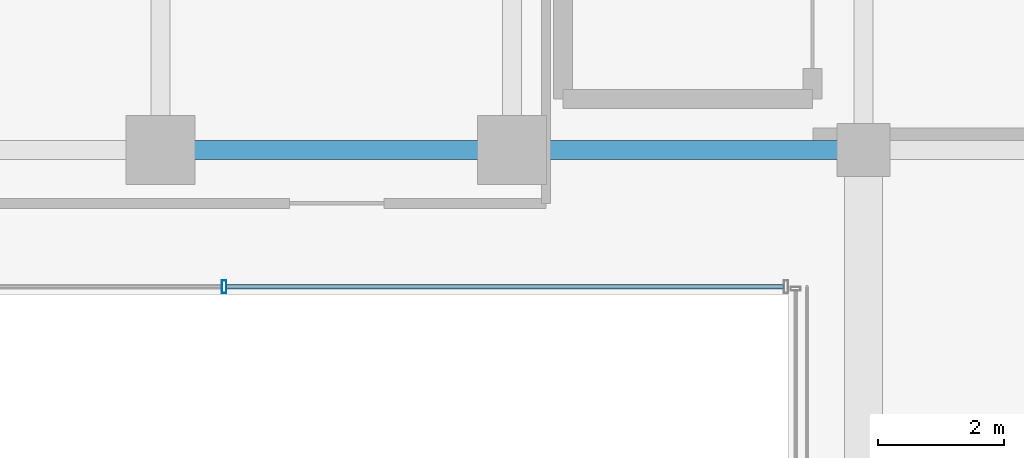
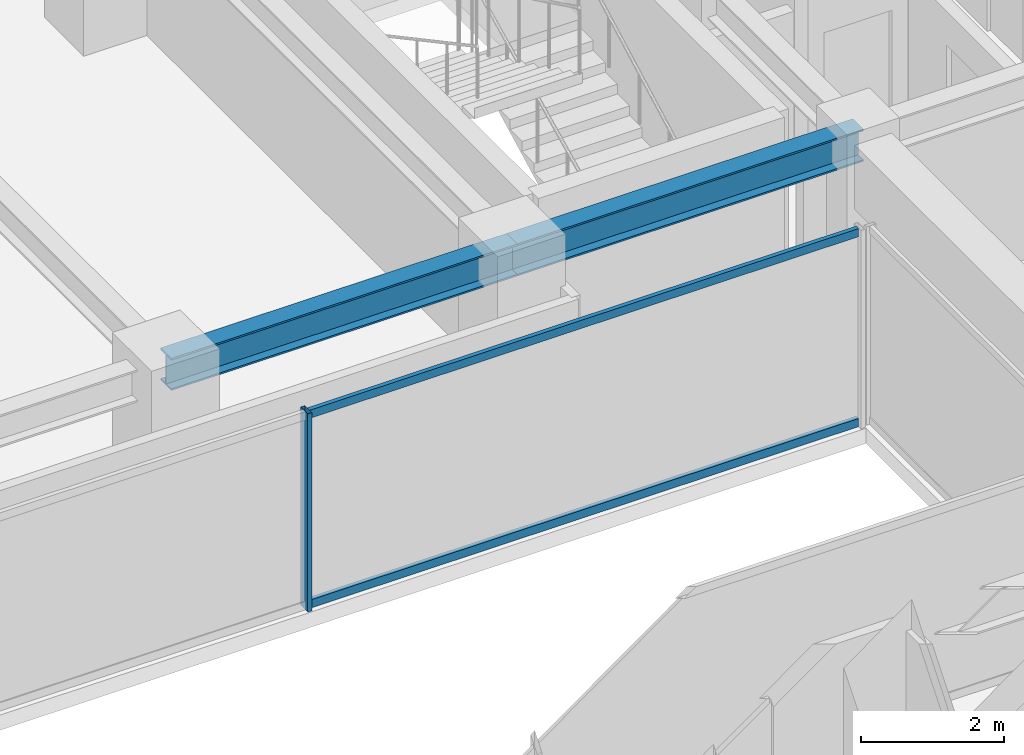
# One storey, part 11 of 36: 3 members, 2 beams, 1 element without a shape of its own.
"""IFC4 building model written with IfcOpenShell, lengths in metres."""

from ifc_helpers import new_model, si_unit, direction, frame, origin, origin_2d, place, context, subcontext, project, spatial, hollow_rectangle, i_section, extrude, source, transform, mapped, material, material_profile, profile_set, type_object, element, aggregate, save


model = new_model("IFC4")

# Units and contexts
model_context = context("Model", 3, precision=1e-05, world=origin(), true_north=direction((0.0, 1.0)))
body_context = subcontext(model_context, "Body", "Model", "MODEL_VIEW")
ifc_project = project(units=[si_unit("LENGTHUNIT", "METRE"), si_unit("AREAUNIT", "SQUARE_METRE"), si_unit("VOLUMEUNIT", "CUBIC_METRE"), si_unit("PLANEANGLEUNIT", "RADIAN"), si_unit("MASSUNIT", "GRAM", prefix="KILO")], contexts=[model_context])

# Site, building, storey
site_placement = place(None, origin())
site = spatial("IfcSite", under=ifc_project, at=site_placement, CompositionType="ELEMENT")
building_placement = place(site_placement, origin())
building = spatial("IfcBuilding", under=site, at=building_placement, Name="Nahalor Promenade Grand Hotel", CompositionType="ELEMENT")
storey_placement = place(building_placement, frame((0.0, 0.0, 170.89990234375)))
storey = spatial("IfcBuildingStorey", under=building, at=storey_placement, Name="L43", CompositionType="ELEMENT", Elevation=170.89990234375)

# Beams
ifc_material_1 = material(Name="Steel S355JR", Category="steel")
ifc_material_profile_1 = material_profile(ifc_material_1, i_section(OverallWidth=0.3, OverallDepth=0.55, WebThickness=0.015, FlangeThickness=0.029, at=origin_2d()), Name="HEB 550")
ifc_profile_set_1 = profile_set([ifc_material_profile_1], Name="Steel S355JR")
beam_type = type_object("IfcBeamType", Name="Beam-Girder-HEB550", PredefinedType="BEAM", material=ifc_profile_set_1)
shared_shape_1 = source(origin(), body_context, "Body", "SweptSolid", [
    extrude(i_section(OverallWidth=0.3, OverallDepth=0.55, WebThickness=0.015, FlangeThickness=0.029, at=origin_2d()), origin(), (0.0, 0.0, 1.0), 5.599853515625),
])
beam_1_placement = place(storey_placement, frame((2.800048828125, 5.39990234375, 3.114990234375), z_axis=(1.0, 0.0, 0.0), x_axis=(0.0, 1.0, 0.0)))
element("IfcBeam", 1, at=beam_1_placement, inside=storey, type_object=beam_type, Name="BM-L43-GX-2-4", PredefinedType="BEAM", context=body_context, shape_type="MappedRepresentation", body=[
    mapped(shared_shape_1, transform((0.0, 0.0, 0.0), scale=1.0)),
])
shared_shape_2 = source(origin(), body_context, "Body", "SweptSolid", [
    extrude(i_section(OverallWidth=0.3, OverallDepth=0.55, WebThickness=0.015, FlangeThickness=0.029, at=origin_2d()), origin(), (0.0, 0.0, 1.0), 5.60009765625),
])
beam_2_placement = place(storey_placement, frame((-2.800048828125, 5.39990234375, 3.114990234375), z_axis=(1.0, 0.0, 0.0), x_axis=(0.0, 1.0, 0.0)))
element("IfcBeam", 2, at=beam_2_placement, inside=storey, type_object=beam_type, Name="BM-L43-GX-2-3", PredefinedType="BEAM", context=body_context, shape_type="MappedRepresentation", body=[
    mapped(shared_shape_2, transform((0.0, 0.0, 0.0), scale=1.0)),
])

# Curtain wall, members
ifc_material_2 = material(Name="Anodised Bronze Aluminium EN AW-6063 T6", Category="aluminium")
curtain_wall_type = type_object("IfcCurtainWallType", Name="CW3 Elliptical-Void Collar Unitised Curtain Wall", PredefinedType="USERDEFINED", material=ifc_material_2)
curtain_wall_placement = place(storey_placement, origin())
curtain_wall = element("IfcCurtainWall", 3, at=curtain_wall_placement, inside=storey, type_object=curtain_wall_type, Name="L43 Curtain Wall CW-L43-VOID-WN1", ObjectType="UNITISED_CURTAIN_WALL", PredefinedType="USERDEFINED")
ifc_material_profile_2 = material_profile(ifc_material_2, hollow_rectangle(XDim=0.07, YDim=0.2, WallThickness=0.005, at=origin_2d()), Name="CWM 70x200x5")
ifc_profile_set_2 = profile_set([ifc_material_profile_2], Name="Anodised Bronze Aluminium EN AW-6063 T6")
member_type_1 = type_object("IfcMemberType", Name="CWM3 Void Collar Mullion 70x200", PredefinedType="MULLION", material=ifc_profile_set_2)
shared_shape_3 = source(origin(), body_context, "Body", "SweptSolid", [
    extrude(hollow_rectangle(XDim=0.07, YDim=0.2, WallThickness=0.005, at=origin_2d()), origin(), (0.0, 0.0, 1.0), 3.39013671875),
])
member_1_placement = place(storey_placement, frame((-1.78662109375, 3.219970703125, 0.0), z_axis=(0.0, 0.0, 1.0), x_axis=(1.0, 0.0, 0.0)))
member_1 = element("IfcMember", 4, at=member_1_placement, type_object=member_type_1, Name="CW-L43-VOID-WN1 Mullion 2", PredefinedType="MULLION", context=body_context, shape_type="MappedRepresentation", body=[
    mapped(shared_shape_3, transform((0.0, 0.0, 0.0), scale=1.0)),
])
ifc_material_profile_3 = material_profile(ifc_material_2, hollow_rectangle(XDim=0.07, YDim=0.14, WallThickness=0.004, at=origin_2d()), Name="CWT 70x140x4")
ifc_profile_set_3 = profile_set([ifc_material_profile_3], Name="Anodised Bronze Aluminium EN AW-6063 T6")
member_type_2 = type_object("IfcMemberType", Name="CWT3 Void Collar Transom 70x140", PredefinedType="USERDEFINED", material=ifc_profile_set_3)
shared_shape_4 = source(origin(), body_context, "Body", "SweptSolid", [
    extrude(hollow_rectangle(XDim=0.07, YDim=0.14, WallThickness=0.004, at=origin_2d()), origin(), (0.0, 0.0, 1.0), 8.881591796875),
])
member_2_placement = place(storey_placement, frame((-1.751708984375, 3.219970703125, 0.070068359375), z_axis=(1.0, 0.0, 0.0), x_axis=(0.0, 1.0, 0.0)))
member_2 = element("IfcMember", 5, at=member_2_placement, type_object=member_type_2, Name="CW-L43-VOID-WN1 Transom 2-0", ObjectType="TRANSOM", PredefinedType="USERDEFINED", context=body_context, shape_type="MappedRepresentation", body=[
    mapped(shared_shape_4, transform((0.0, 0.0, 0.0), scale=1.0)),
])
member_3_placement = place(storey_placement, frame((-1.751708984375, 3.219970703125, 3.320068359375), z_axis=(1.0, 0.0, 0.0), x_axis=(0.0, 1.0, 0.0)))
member_3 = element("IfcMember", 6, at=member_3_placement, type_object=member_type_2, Name="CW-L43-VOID-WN1 Transom 2-1", ObjectType="TRANSOM", PredefinedType="USERDEFINED", context=body_context, shape_type="MappedRepresentation", body=[
    mapped(shared_shape_4, transform((0.0, 0.0, 0.0), scale=1.0)),
])
aggregate(curtain_wall, [member_1, member_2, member_3])

save(model, "model.ifc")
